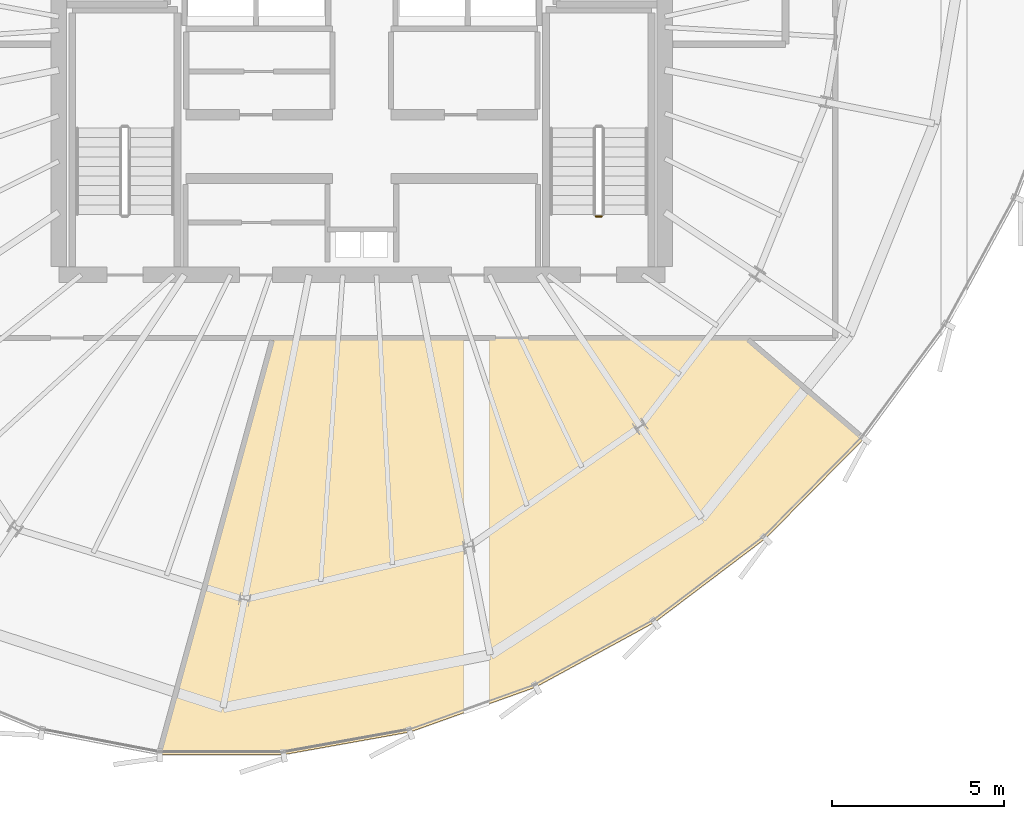
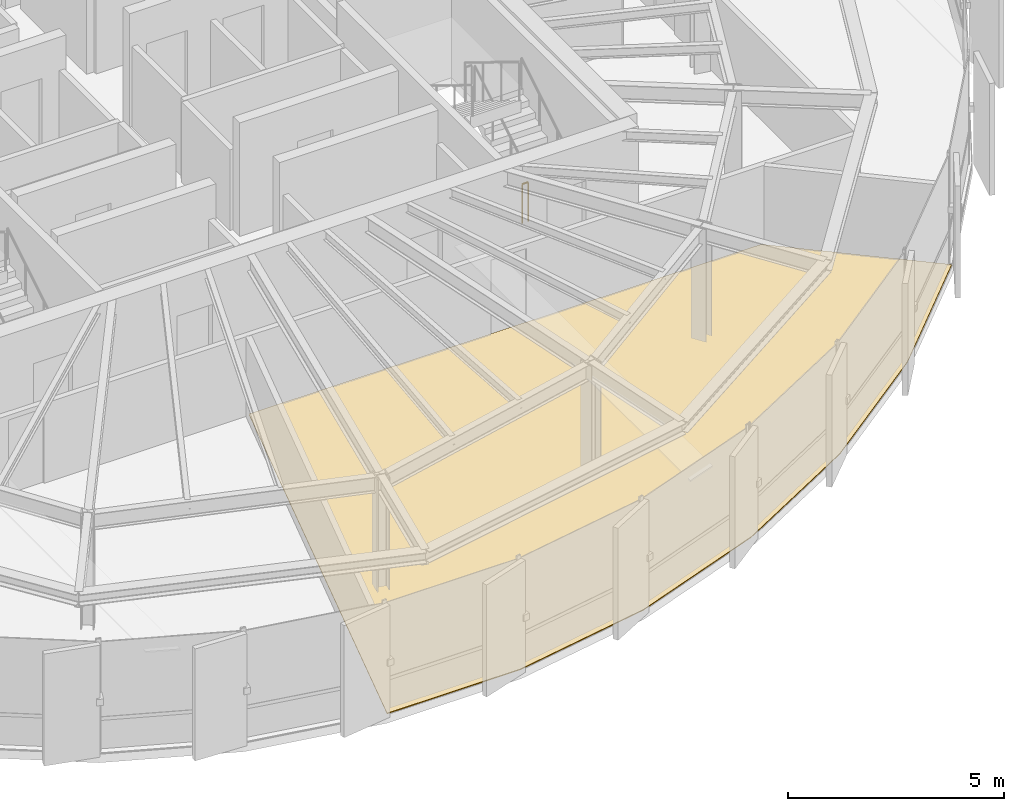
# One storey, part 31 of 33: 1 covering, 1 railing.
"""IFC4 building model written with IfcOpenShell, lengths in metres."""

from ifc_helpers import new_model, si_unit, direction, frame, origin, origin_2d, place, context, subcontext, project, spatial, polyline, circle, outline, extrude, material, layer, layer_set, type_object, element, save


model = new_model("IFC4")

# Units and contexts
model_context = context("Model", 3, precision=1e-05, world=origin(), true_north=direction((0.0, 1.0)))
body_context = subcontext(model_context, "Body", "Model", "MODEL_VIEW")
ifc_project = project(units=[si_unit("LENGTHUNIT", "METRE"), si_unit("AREAUNIT", "SQUARE_METRE"), si_unit("VOLUMEUNIT", "CUBIC_METRE"), si_unit("PLANEANGLEUNIT", "RADIAN"), si_unit("MASSUNIT", "GRAM", prefix="KILO"), si_unit("THERMODYNAMICTEMPERATUREUNIT", "KELVIN")], contexts=[model_context])

# Site, building, storey
site_placement = place(None, origin())
site = spatial("IfcSite", under=ifc_project, at=site_placement, CompositionType="ELEMENT")
building_placement = place(site_placement, origin())
building = spatial("IfcBuilding", under=site, at=building_placement, Name="Kethvar Cultural Tower", CompositionType="ELEMENT")
storey_placement = place(building_placement, frame((0.0, 0.0, 235.300048828125)))
storey = spatial("IfcBuildingStorey", under=building, at=storey_placement, Name="L61", CompositionType="ELEMENT", Elevation=235.300048828125)

# Covering
ifc_material_1 = material(Name="Architectural Oak Timber", Category="wood")
ifc_layer = layer(ifc_material_1, 0.02490234375, Name="Architectural Oak Timber", Category="wood")
ifc_layer_set = layer_set([ifc_layer], Name="Architectural Oak Timber (25 mm)")
covering_type = type_object("IfcCoveringType", Name="CV-OAK-FLOOR", PredefinedType="FLOORING", material=ifc_layer_set)
covering_placement = place(storey_placement, origin())
element("IfcCovering", 1, at=covering_placement, inside=storey, type_object=covering_type, Name="L61 Room 02 Floor Finish", PredefinedType="FLOORING", context=body_context, shape_type="SweptSolid", body=[
    extrude(outline(polyline([(58.520263671875, 12.44677734375), (55.3037109375, 10.01318359375), (51.828857421875, 8.1201171875), (48.201171875, 6.8251953125), (44.53125, 6.16796875), (40.95458984375, 6.167724609375), (44.230712890625, 18.2490234375), (57.951904296875, 18.2490234375), (61.366455078125, 15.332763671875), (58.520263671875, 12.44677734375)])), origin(), (0.0, 0.0, 1.0), 0.02490234375),
])

# Railing
ifc_material_2 = material(Name="Steel S355J2", Category="steel")
railing_type = type_object("IfcRailingType", Name="RL-STAIR-GUARD", PredefinedType="BALUSTRADE", material=ifc_material_2)
railing_placement = place(storey_placement, frame((53.760009765625, 21.800048828125, 0.0)))
element("IfcRailing", 2, at=railing_placement, inside=storey, type_object=railing_type, Name="L61 ST-02 stair guard 4", PredefinedType="BALUSTRADE", context=body_context, shape_type="SweptSolid", body=[
    extrude(circle(Radius=0.02392578125, at=origin_2d()), frame((0.0, 0.0, 1.09619140625), z_axis=(-1.0, 0.0, 0.0), x_axis=(0.0, -1.0, 0.0)), (0.0, 0.0, 1.0), 0.159912109375),
    extrude(circle(Radius=0.02099609375, at=origin_2d()), origin(), (0.0, 0.0, 1.0), 1.072021484375),
    extrude(circle(Radius=0.02099609375, at=origin_2d()), frame((-0.159912109375, 0.0, 0.0)), (0.0, 0.0, 1.0), 1.072021484375),
])

save(model, "model.ifc")
